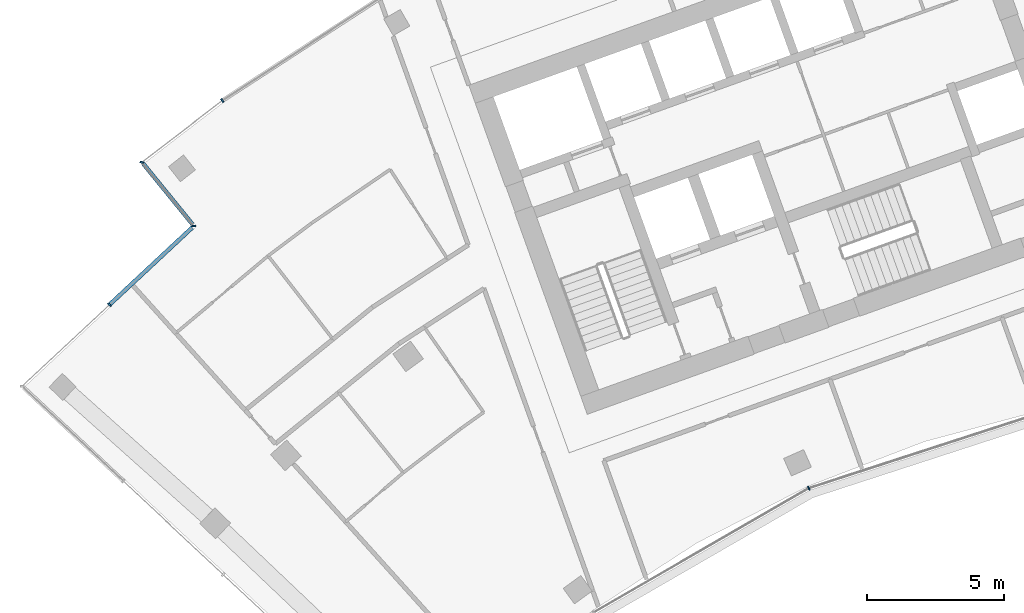
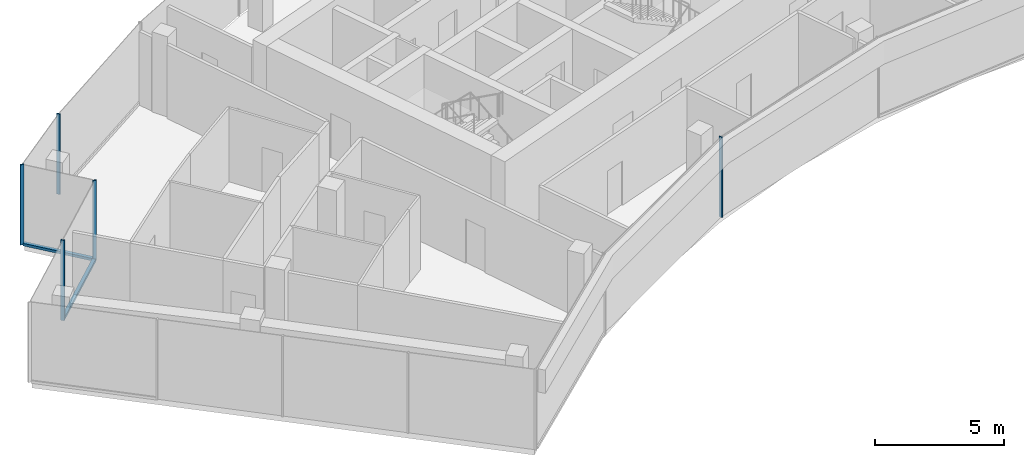
# One storey, part 3 of 18: 7 members, 4 elements without a shape of their own.
"""IFC4 building model written with IfcOpenShell, lengths in metres."""

from ifc_helpers import new_model, si_unit, direction, frame, origin, origin_2d, place, context, subcontext, project, spatial, rectangle, extrude, material, layer, layer_set, material_profile, profile_set, type_object, element, aggregate, save


model = new_model("IFC4")

# Units and contexts
model_context = context("Model", 3, precision=1e-05, world=origin(), true_north=direction((0.0, 1.0)))
body_context = subcontext(model_context, "Body", "Model", "MODEL_VIEW")
ifc_project = project(units=[si_unit("LENGTHUNIT", "METRE"), si_unit("AREAUNIT", "SQUARE_METRE"), si_unit("VOLUMEUNIT", "CUBIC_METRE"), si_unit("PLANEANGLEUNIT", "RADIAN"), si_unit("MASSUNIT", "GRAM", prefix="KILO")], contexts=[model_context])

# Site, building, storey
site_placement = place(None, origin())
site = spatial("IfcSite", under=ifc_project, at=site_placement, CompositionType="ELEMENT")
building_placement = place(site_placement, origin())
building = spatial("IfcBuilding", under=site, at=building_placement, Name="Stone Belt Terrace Tower", CompositionType="ELEMENT")
storey_placement = place(building_placement, frame((0.0, 0.0, 277.0)))
storey = spatial("IfcBuildingStorey", under=building, at=storey_placement, Name="L67", CompositionType="ELEMENT", Elevation=277.0)

# Curtain wall, member
ifc_material = material(Name="Aluminium 6063-T6 anodised frame", Category="aluminium")
ifc_layer_1 = layer(ifc_material, 0.14990234375)
ifc_layer_set_1 = layer_set([ifc_layer_1], Name="CW-A unitised convex-face curtain wall")
curtain_wall_type_1 = type_object("IfcCurtainWallType", Name="CW-A unitised convex-face curtain wall", PredefinedType="NOTDEFINED", material=ifc_layer_set_1)
curtain_wall_1_placement = place(storey_placement, origin())
curtain_wall_1 = element("IfcCurtainWall", 1, at=curtain_wall_1_placement, inside=storey, type_object=curtain_wall_type_1, Name="CW-A convex face L67", PredefinedType="NOTDEFINED")
ifc_material_profile_1 = material_profile(ifc_material, rectangle(XDim=0.14990234375, YDim=0.06005859375, at=origin_2d()), Name="Aluminium 6063-T6 60x150")
ifc_profile_set_1 = profile_set([ifc_material_profile_1], Name="Aluminium 6063-T6 anodised frame")
member_type_1 = type_object("IfcMemberType", Name="CW-A mullion 60 x 150", PredefinedType="MULLION", material=ifc_profile_set_1)
member_1_placement = place(storey_placement, frame((-39.131103515625, 53.86083984375, 0.0), z_axis=(0.0, 0.0, 1.0), x_axis=(0.577587125789, -0.816329046477, 0.0)))
member_1 = element("IfcMember", 2, at=member_1_placement, type_object=member_type_1, Name="CW-A mullion 14", PredefinedType="MULLION", context=body_context, shape_type="SweptSolid", body=[
    extrude(rectangle(XDim=0.14990234375, YDim=0.06005859375, at=origin_2d()), origin(), (0.0, 0.0, 1.0), 3.800048828125),
])
aggregate(curtain_wall_1, [member_1])

ifc_layer_2 = layer(ifc_material, 0.14990234375)
ifc_layer_set_2 = layer_set([ifc_layer_2], Name="CW-B unitised concave-face curtain wall")
curtain_wall_type_2 = type_object("IfcCurtainWallType", Name="CW-B unitised concave-face curtain wall", PredefinedType="NOTDEFINED", material=ifc_layer_set_2)
curtain_wall_2_placement = place(storey_placement, origin())
curtain_wall_2 = element("IfcCurtainWall", 3, at=curtain_wall_2_placement, inside=storey, type_object=curtain_wall_type_2, Name="CW-B concave face L67", PredefinedType="NOTDEFINED")
ifc_material_profile_2 = material_profile(ifc_material, rectangle(XDim=0.14990234375, YDim=0.050048828125, at=origin_2d()), Name="Aluminium 6063-T6 50x150")
ifc_profile_set_2 = profile_set([ifc_material_profile_2], Name="Aluminium 6063-T6 anodised frame")
member_type_2 = type_object("IfcMemberType", Name="CW-B mullion 50 x 150", PredefinedType="MULLION", material=ifc_profile_set_2)
member_2_placement = place(storey_placement, frame((-17.662353515625, 39.67041015625, 0.0), z_axis=(0.0, 0.0, 1.0), x_axis=(-0.406736643076, 0.913545457643, 0.0)))
member_2 = element("IfcMember", 4, at=member_2_placement, type_object=member_type_2, Name="CW-B mullion 3", PredefinedType="MULLION", context=body_context, shape_type="SweptSolid", body=[
    extrude(rectangle(XDim=0.14990234375, YDim=0.050048828125, at=origin_2d()), origin(), (0.0, 0.0, 1.0), 3.800048828125),
])
aggregate(curtain_wall_2, [member_2])

ifc_layer_3 = layer(ifc_material, 0.14990234375)
ifc_layer_set_3 = layer_set([ifc_layer_3], Name="CW-C stick curtain wall, horn ends and notches")
curtain_wall_type_3 = type_object("IfcCurtainWallType", Name="CW-C stick curtain wall, horn ends and notches", PredefinedType="NOTDEFINED", material=ifc_layer_set_3)
curtain_wall_3_placement = place(storey_placement, origin())
curtain_wall_3 = element("IfcCurtainWall", 5, at=curtain_wall_3_placement, inside=storey, type_object=curtain_wall_type_3, Name="CW-C notch face L67", PredefinedType="NOTDEFINED")
ifc_material_profile_3 = material_profile(ifc_material, rectangle(XDim=0.14990234375, YDim=0.06005859375, at=origin_2d()), Name="Aluminium 6063-T6 60x150")
ifc_profile_set_3 = profile_set([ifc_material_profile_3], Name="Aluminium 6063-T6 anodised frame")
member_type_3 = type_object("IfcMemberType", Name="CW-C mullion 60 x 150", PredefinedType="MULLION", material=ifc_profile_set_3)
member_3_placement = place(storey_placement, frame((-42.068359375, 51.60205078125, 0.0), z_axis=(0.0, 0.0, 1.0), x_axis=(0.993258004644, -0.115924700604, 0.0)))
member_3 = element("IfcMember", 6, at=member_3_placement, type_object=member_type_3, Name="CW-C mullion 1", PredefinedType="MULLION", context=body_context, shape_type="SweptSolid", body=[
    extrude(rectangle(XDim=0.14990234375, YDim=0.06005859375, at=origin_2d()), origin(), (0.0, 0.0, 1.0), 3.800048828125),
])

# Curtain wall, members
curtain_wall_4_placement = place(storey_placement, origin())
curtain_wall_4 = element("IfcCurtainWall", 7, at=curtain_wall_4_placement, inside=storey, type_object=curtain_wall_type_3, Name="CW-C notch face L67", PredefinedType="NOTDEFINED")
member_4_placement = place(storey_placement, frame((-40.1708984375, 49.269287109375, 0.0), z_axis=(0.0, 0.0, 1.0), x_axis=(0.997639702696, -0.068666029474, 0.0)))
member_4 = element("IfcMember", 8, at=member_4_placement, type_object=member_type_3, Name="CW-C mullion 1", PredefinedType="MULLION", context=body_context, shape_type="SweptSolid", body=[
    extrude(rectangle(XDim=0.14990234375, YDim=0.06005859375, at=origin_2d()), origin(), (0.0, 0.0, 1.0), 3.800048828125),
])
member_5_placement = place(storey_placement, frame((-43.260009765625, 46.388671875, 0.0), z_axis=(0.0, 0.0, 1.0), x_axis=(0.682013767261, -0.731339333871, 0.0)))
member_5 = element("IfcMember", 9, at=member_5_placement, type_object=member_type_3, Name="CW-C mullion 2", PredefinedType="MULLION", context=body_context, shape_type="SweptSolid", body=[
    extrude(rectangle(XDim=0.14990234375, YDim=0.06005859375, at=origin_2d()), origin(), (0.0, 0.0, 1.0), 3.800048828125),
])

# Member
ifc_material_profile_4 = material_profile(ifc_material, rectangle(XDim=0.14990234375, YDim=0.1201171875, at=origin_2d()), Name="Aluminium 6063-T6 150x120")
ifc_profile_set_4 = profile_set([ifc_material_profile_4], Name="Aluminium 6063-T6 anodised frame")
member_type_4 = type_object("IfcMemberType", Name="CW-C transom 120 x 150", PredefinedType="USERDEFINED", material=ifc_profile_set_4)
member_6_placement = place(storey_placement, frame((-42.021240234375, 51.5439453125, 0.06005859375), z_axis=(0.631026504781, -0.775761271439, 0.0), x_axis=(0.775761271439, 0.631026504781, 0.0)))
member_6 = element("IfcMember", 10, at=member_6_placement, type_object=member_type_4, Name="CW-C transom 1.1", ObjectType="TRANSOM", PredefinedType="USERDEFINED", context=body_context, shape_type="SweptSolid", body=[
    extrude(rectangle(XDim=0.14990234375, YDim=0.1201171875, at=origin_2d()), origin(), (0.0, 0.0, 1.0), 2.859130859375),
])

aggregate(curtain_wall_3, [member_3, member_6])

member_7_placement = place(storey_placement, frame((-40.224365234375, 49.21923828125, 0.06005859375), z_axis=(-0.731382255625, -0.681967738355, 0.0), x_axis=(0.681967738355, -0.731382255625, 0.0)))
member_7 = element("IfcMember", 11, at=member_7_placement, type_object=member_type_4, Name="CW-C transom 1.1", ObjectType="TRANSOM", PredefinedType="USERDEFINED", context=body_context, shape_type="SweptSolid", body=[
    extrude(rectangle(XDim=0.14990234375, YDim=0.1201171875, at=origin_2d()), origin(), (0.0, 0.0, 1.0), 4.12060546875),
])

aggregate(curtain_wall_4, [member_4, member_5, member_7])

save(model, "model.ifc")
